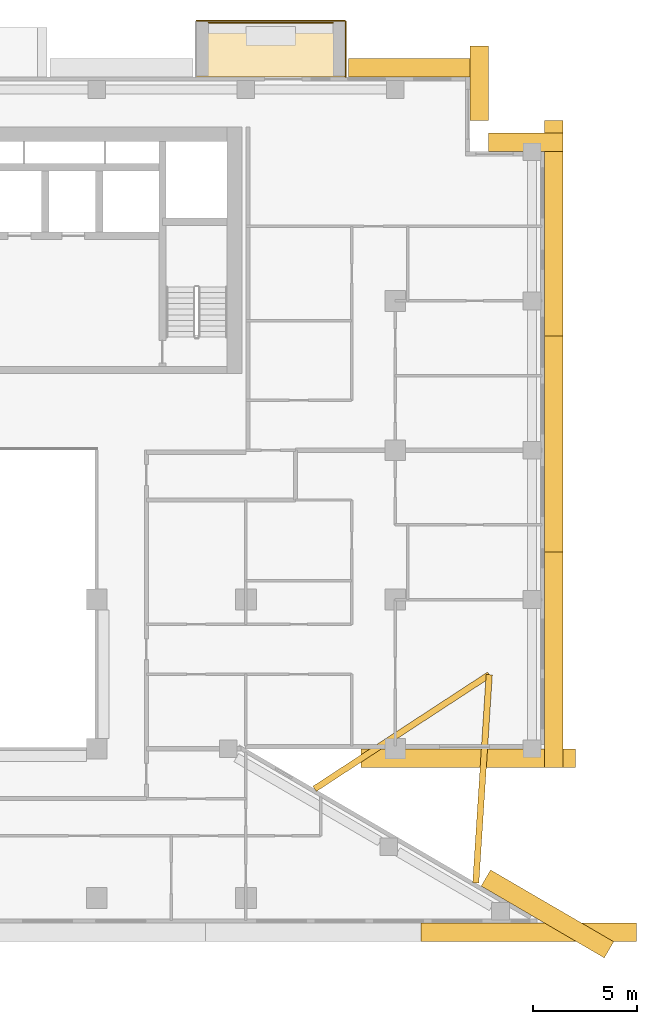
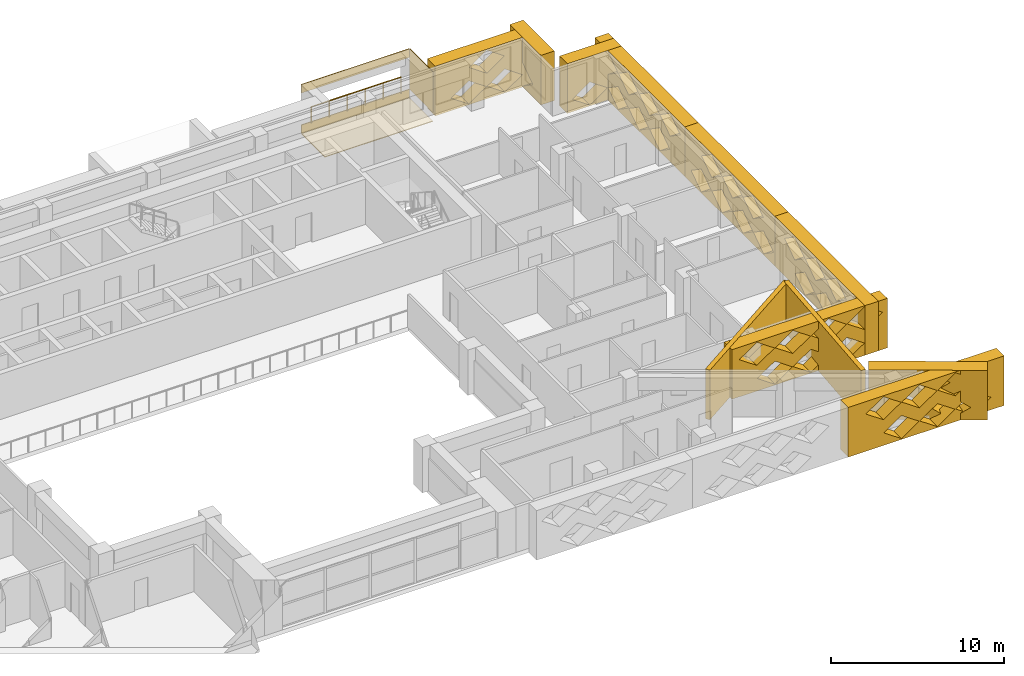
# One storey, part 20 of 20: 15 coverings, 1 railing.
"""IFC4 building model written with IfcOpenShell, lengths in metres."""

from ifc_helpers import new_model, si_unit, direction, frame, origin, origin_2d, place, context, subcontext, project, spatial, polyline, circle, outline, extrude, material, layer, layer_set, type_object, element, save


model = new_model("IFC4")

# Units and contexts
model_context = context("Model", 3, precision=1e-05, world=origin(), true_north=direction((0.0, 1.0)))
body_context = subcontext(model_context, "Body", "Model", "MODEL_VIEW")
ifc_project = project(units=[si_unit("LENGTHUNIT", "METRE"), si_unit("AREAUNIT", "SQUARE_METRE"), si_unit("VOLUMEUNIT", "CUBIC_METRE"), si_unit("PLANEANGLEUNIT", "RADIAN"), si_unit("MASSUNIT", "GRAM", prefix="KILO")], contexts=[model_context])

# Site, building, storey
site_placement = place(None, origin())
site = spatial("IfcSite", under=ifc_project, at=site_placement, CompositionType="ELEMENT")
building_placement = place(site_placement, origin())
building = spatial("IfcBuilding", under=site, at=building_placement, Name="Saffron Iwan Residences", CompositionType="ELEMENT")
storey_placement = place(building_placement, frame((0.0, 0.0, 164.0)))
storey = spatial("IfcBuildingStorey", under=building, at=storey_placement, Name="L43", CompositionType="ELEMENT", Elevation=164.0)

# Railing
ifc_material_1 = material(Name="Stainless steel 316", Category="steel")
railing_type = type_object("IfcRailingType", Name="BALCONY GUARD 1150", PredefinedType="GUARDRAIL", material=ifc_material_1)
railing_placement = place(storey_placement, frame((76.199951171875, 83.02490234375, 0.0)))
element("IfcRailing", 1, at=railing_placement, inside=storey, type_object=railing_type, Name="Balcony guard L43 F5-0", PredefinedType="GUARDRAIL", context=body_context, shape_type="SweptSolid", body=[
    extrude(circle(Radius=0.02392578125, at=origin_2d()), frame((0.0, 0.0, 1.1259765625), z_axis=(-1.0, 0.0, 0.0), x_axis=(0.0, -1.0, 0.0)), (0.0, 0.0, 1.0), 6.0),
    extrude(circle(Radius=0.02099609375, at=origin_2d()), origin(), (0.0, 0.0, 1.0), 1.101806640625),
    extrude(circle(Radius=0.02099609375, at=origin_2d()), frame((-1.199951171875, 0.0, 0.0)), (0.0, 0.0, 1.0), 1.101806640625),
    extrude(circle(Radius=0.02099609375, at=origin_2d()), frame((-2.39990234375, 0.0, 0.0)), (0.0, 0.0, 1.0), 1.101806640625),
    extrude(circle(Radius=0.02099609375, at=origin_2d()), frame((-3.60009765625, 0.0, 0.0)), (0.0, 0.0, 1.0), 1.101806640625),
    extrude(circle(Radius=0.02099609375, at=origin_2d()), frame((-4.800048828125, 0.0, 0.0)), (0.0, 0.0, 1.0), 1.101806640625),
    extrude(circle(Radius=0.02099609375, at=origin_2d()), frame((-6.0, 0.0, 0.0)), (0.0, 0.0, 1.0), 1.101806640625),
])

# Coverings
ifc_material_2 = material(Name="Precast concrete C40/50 white painted", Category="concrete")
ifc_layer_1 = layer(ifc_material_2, 0.050048828125)
ifc_layer_set_1 = layer_set([ifc_layer_1], Name="Precast concrete C40/50 white painted")
covering_type_1 = type_object("IfcCoveringType", Name="FRAME SKIN PRECAST WHITE 50", PredefinedType="CLADDING", material=ifc_layer_set_1)
for number, where, name in (
    (2, (0.0, 0.0, -0.60009765625), "Frame skin slab edge L43 F5-0"),
    (3, (0.0, 0.0, 2.25), "Frame skin fascia L43 F5-0"),
):
    element("IfcCovering", number, at=place(storey_placement, frame(where)), inside=storey, type_object=covering_type_1, Name=name, PredefinedType="CLADDING", context=body_context, shape_type="SweptSolid", body=[
        extrude(outline(polyline([(76.800048828125, 83.14990234375), (69.60009765625, 83.14990234375), (69.60009765625, 83.10009765625), (76.800048828125, 83.10009765625), (76.800048828125, 83.14990234375)])), origin(), (0.0, 0.0, 1.0), 0.60009765625),
    ])
covering_1_placement = place(storey_placement, frame((0.0, 0.0, -0.64990234375)))
element("IfcCovering", 4, at=covering_1_placement, inside=storey, type_object=covering_type_1, Name="Frame skin soffit L43 F5-0", PredefinedType="CLADDING", context=body_context, shape_type="SweptSolid", body=[
    extrude(outline(polyline([(76.800048828125, 83.10009765625), (69.60009765625, 83.10009765625), (69.60009765625, 80.39990234375), (76.800048828125, 80.39990234375), (76.800048828125, 83.10009765625)])), origin(), (0.0, 0.0, 1.0), 0.0498046875),
])
covering_2_placement = place(storey_placement, origin())
element("IfcCovering", 5, at=covering_2_placement, inside=storey, type_object=covering_type_1, Name="Frame skin fin L43 F5-0a", PredefinedType="CLADDING", context=body_context, shape_type="SweptSolid", body=[
    extrude(outline(polyline([(76.85009765625, 83.10009765625), (76.800048828125, 83.10009765625), (76.800048828125, 80.39990234375), (76.85009765625, 80.39990234375), (76.85009765625, 83.10009765625)])), origin(), (0.0, 0.0, 1.0), 2.85009765625),
])
ifc_material_3 = material(Name="Precast concrete C40/50", Category="concrete")
covering_type_2 = type_object("IfcCoveringType", Name="OUTER SKIN LATTICE SCREEN", PredefinedType="CLADDING", material=ifc_material_3)
covering_3_placement = place(storey_placement, frame((89.283935546875, 37.917724609375, -0.300048828125), z_axis=(0.503803550485, 0.863818257806, 0.0), x_axis=(-0.863818257806, 0.503803550485, 0.0)))
element("IfcCovering", 6, at=covering_3_placement, inside=storey, type_object=covering_type_2, Name="OUTER SKIN lattice screen L43 F0.0", PredefinedType="CLADDING", context=body_context, shape_type="SweptSolid", body=[
    extrude(outline(polyline([(0.0, 0.0), (6.874267578125, 0.0), (6.874267578125, 3.5), (0.0, 3.5), (0.0, 0.0)]), holes=[polyline([(0.958740234375, 0.875), (2.138671875, 0.06005859375), (3.318603515625, 0.875), (2.138671875, 1.68994140625), (0.958740234375, 0.875)]), polyline([(3.358642578125, 0.875), (4.538818359375, 0.06005859375), (5.71875, 0.875), (4.538818359375, 1.68994140625), (3.358642578125, 0.875)]), polyline([(2.15869140625, 2.625), (3.338623046875, 1.81005859375), (4.518798828125, 2.625), (3.338623046875, 3.43994140625), (2.15869140625, 2.625)])]), origin(), (0.0, 0.0, 1.0), 0.89990234375),
])
covering_4_placement = place(storey_placement, frame((77.538818359375, 48.0, -0.300048828125), z_axis=(0.0, -1.0, 0.0), x_axis=(1.0, 0.0, 0.0)))
element("IfcCovering", 7, at=covering_4_placement, inside=storey, type_object=covering_type_2, Name="OUTER SKIN lattice screen L43 F1.0", PredefinedType="CLADDING", context=body_context, shape_type="SweptSolid", body=[
    extrude(outline(polyline([(0.0, 0.0), (10.361328125, 0.0), (10.361328125, 3.5), (0.0, 3.5), (0.0, 0.0)]), holes=[polyline([(1.681396484375, 0.875), (2.861328125, 0.06005859375), (4.041259765625, 0.875), (2.861328125, 1.68994140625), (1.681396484375, 0.875)]), polyline([(4.081298828125, 0.875), (5.26123046875, 0.06005859375), (6.44140625, 0.875), (5.26123046875, 1.68994140625), (4.081298828125, 0.875)]), polyline([(6.481201171875, 0.875), (7.661376953125, 0.06005859375), (8.84130859375, 0.875), (7.661376953125, 1.68994140625), (6.481201171875, 0.875)]), polyline([(0.481201171875, 2.625), (1.661376953125, 1.81005859375), (2.84130859375, 2.625), (1.661376953125, 3.43994140625), (0.481201171875, 2.625)]), polyline([(2.88134765625, 2.625), (4.061279296875, 1.81005859375), (5.2412109375, 2.625), (4.061279296875, 3.43994140625), (2.88134765625, 2.625)]), polyline([(5.28125, 2.625), (6.461181640625, 1.81005859375), (7.641357421875, 2.625), (6.461181640625, 3.43994140625), (5.28125, 2.625)]), polyline([(7.681396484375, 2.625), (8.861328125, 1.81005859375), (10.041259765625, 2.625), (8.861328125, 3.43994140625), (7.681396484375, 2.625)])]), origin(), (0.0, 0.0, 1.0), 0.89990234375),
])
covering_5_placement = place(storey_placement, frame((86.39990234375, 47.10009765625, -0.300048828125), z_axis=(1.0, 0.0, 0.0), x_axis=(0.0, 1.0, 0.0)))
element("IfcCovering", 8, at=covering_5_placement, inside=storey, type_object=covering_type_2, Name="OUTER SKIN lattice screen L43 F2.0", PredefinedType="CLADDING", context=body_context, shape_type="SweptSolid", body=[
    extrude(outline(polyline([(0.0, 0.0), (10.39990234375, 0.0), (10.39990234375, 3.5), (0.0, 3.5), (0.0, 0.0)]), holes=[polyline([(0.919921875, 0.875), (2.10009765625, 0.06005859375), (3.280029296875, 0.875), (2.10009765625, 1.68994140625), (0.919921875, 0.875)]), polyline([(3.320068359375, 0.875), (4.5, 0.06005859375), (5.679931640625, 0.875), (4.5, 1.68994140625), (3.320068359375, 0.875)]), polyline([(5.719970703125, 0.875), (6.89990234375, 0.06005859375), (8.080078125, 0.875), (6.89990234375, 1.68994140625), (5.719970703125, 0.875)]), polyline([(2.1201171875, 2.625), (3.300048828125, 1.81005859375), (4.47998046875, 2.625), (3.300048828125, 3.43994140625), (2.1201171875, 2.625)]), polyline([(4.52001953125, 2.625), (5.699951171875, 1.81005859375), (6.8798828125, 2.625), (5.699951171875, 3.43994140625), (4.52001953125, 2.625)]), polyline([(6.919921875, 2.625), (8.10009765625, 1.81005859375), (9.280029296875, 2.625), (8.10009765625, 3.43994140625), (6.919921875, 2.625)])]), origin(), (0.0, 0.0, 1.0), 0.900146484375),
])
covering_6_placement = place(storey_placement, frame((86.39990234375, 57.5, -0.300048828125), z_axis=(1.0, 0.0, 0.0), x_axis=(0.0, 1.0, 0.0)))
element("IfcCovering", 9, at=covering_6_placement, inside=storey, type_object=covering_type_2, Name="OUTER SKIN lattice screen L43 F2.1", PredefinedType="CLADDING", context=body_context, shape_type="SweptSolid", body=[
    extrude(outline(polyline([(0.0, 0.0), (10.39990234375, 0.0), (10.39990234375, 3.5), (0.0, 3.5), (0.0, 0.0)]), holes=[polyline([(0.1201171875, 0.875), (1.300048828125, 0.06005859375), (2.47998046875, 0.875), (1.300048828125, 1.68994140625), (0.1201171875, 0.875)]), polyline([(2.52001953125, 0.875), (3.699951171875, 0.06005859375), (4.8798828125, 0.875), (3.699951171875, 1.68994140625), (2.52001953125, 0.875)]), polyline([(4.919921875, 0.875), (6.10009765625, 0.06005859375), (7.280029296875, 0.875), (6.10009765625, 1.68994140625), (4.919921875, 0.875)]), polyline([(7.320068359375, 0.875), (8.5, 0.06005859375), (9.679931640625, 0.875), (8.5, 1.68994140625), (7.320068359375, 0.875)]), polyline([(1.320068359375, 2.625), (2.5, 1.81005859375), (3.679931640625, 2.625), (2.5, 3.43994140625), (1.320068359375, 2.625)]), polyline([(3.719970703125, 2.625), (4.89990234375, 1.81005859375), (6.080078125, 2.625), (4.89990234375, 3.43994140625), (3.719970703125, 2.625)]), polyline([(6.1201171875, 2.625), (7.300048828125, 1.81005859375), (8.47998046875, 2.625), (7.300048828125, 3.43994140625), (6.1201171875, 2.625)])]), origin(), (0.0, 0.0, 1.0), 0.900146484375),
])
covering_7_placement = place(storey_placement, frame((86.39990234375, 67.89990234375, -0.300048828125), z_axis=(1.0, 0.0, 0.0), x_axis=(0.0, 1.0, 0.0)))
element("IfcCovering", 10, at=covering_7_placement, inside=storey, type_object=covering_type_2, Name="OUTER SKIN lattice screen L43 F2.2", PredefinedType="CLADDING", context=body_context, shape_type="SweptSolid", body=[
    extrude(outline(polyline([(0.0, 0.0), (10.39990234375, 0.0), (10.39990234375, 3.5), (0.0, 3.5), (0.0, 0.0)]), holes=[polyline([(1.719970703125, 0.875), (2.89990234375, 0.06005859375), (4.080078125, 0.875), (2.89990234375, 1.68994140625), (1.719970703125, 0.875)]), polyline([(4.1201171875, 0.875), (5.300048828125, 0.06005859375), (6.47998046875, 0.875), (5.300048828125, 1.68994140625), (4.1201171875, 0.875)]), polyline([(6.52001953125, 0.875), (7.699951171875, 0.06005859375), (8.8798828125, 0.875), (7.699951171875, 1.68994140625), (6.52001953125, 0.875)]), polyline([(0.52001953125, 2.625), (1.699951171875, 1.81005859375), (2.8798828125, 2.625), (1.699951171875, 3.43994140625), (0.52001953125, 2.625)]), polyline([(2.919921875, 2.625), (4.10009765625, 1.81005859375), (5.280029296875, 2.625), (4.10009765625, 3.43994140625), (2.919921875, 2.625)]), polyline([(5.320068359375, 2.625), (6.5, 1.81005859375), (7.679931640625, 2.625), (6.5, 3.43994140625), (5.320068359375, 2.625)]), polyline([(7.719970703125, 2.625), (8.89990234375, 1.81005859375), (10.080078125, 2.625), (8.89990234375, 3.43994140625), (7.719970703125, 2.625)])]), origin(), (0.0, 0.0, 1.0), 0.900146484375),
])
for number, where, z_axis, x_axis, name in (
    (11, (87.300048828125, 76.800048828125, -0.300048828125), (0.0, 1.0, 0.0), (-1.0, 0.0, 0.0), "OUTER SKIN lattice screen L43 F3.0"),
    (12, (82.800048828125, 78.300048828125, -0.300048828125), (1.0, 0.0, 0.0), (0.0, 1.0, 0.0), "OUTER SKIN lattice screen L43 F4.0"),
):
    element("IfcCovering", number, at=place(storey_placement, frame(where, z_axis=z_axis, x_axis=x_axis)), inside=storey, type_object=covering_type_2, Name=name, PredefinedType="CLADDING", context=body_context, shape_type="SweptSolid", body=[
        extrude(outline(polyline([(0.0, 0.0), (3.60009765625, 0.0), (3.60009765625, 3.5), (0.0, 3.5), (0.0, 0.0)]), holes=[polyline([(0.919921875, 0.875), (2.10009765625, 0.06005859375), (3.280029296875, 0.875), (2.10009765625, 1.68994140625), (0.919921875, 0.875)])]), origin(), (0.0, 0.0, 1.0), 0.89990234375),
    ])
covering_8_placement = place(storey_placement, frame((83.699951171875, 80.39990234375, -0.300048828125), z_axis=(0.0, 1.0, 0.0), x_axis=(-1.0, 0.0, 0.0)))
element("IfcCovering", 13, at=covering_8_placement, inside=storey, type_object=covering_type_2, Name="OUTER SKIN lattice screen L43 F5.0", PredefinedType="CLADDING", context=body_context, shape_type="SweptSolid", body=[
    extrude(outline(polyline([(0.0, 0.0), (6.75, 0.0), (6.75, 3.5), (0.0, 3.5), (0.0, 0.0)]), holes=[polyline([(0.919921875, 0.875), (2.10009765625, 0.06005859375), (3.280029296875, 0.875), (2.10009765625, 1.68994140625), (0.919921875, 0.875)]), polyline([(3.320068359375, 0.875), (4.5, 0.06005859375), (5.679931640625, 0.875), (4.5, 1.68994140625), (3.320068359375, 0.875)]), polyline([(2.1201171875, 2.625), (3.300048828125, 1.81005859375), (4.47998046875, 2.625), (3.300048828125, 3.43994140625), (2.1201171875, 2.625)])]), origin(), (0.0, 0.0, 1.0), 0.900146484375),
])
covering_9_placement = place(storey_placement, frame((80.4423828125, 39.60009765625, -0.300048828125), z_axis=(0.0, -1.0, 0.0), x_axis=(1.0, 0.0, 0.0)))
element("IfcCovering", 14, at=covering_9_placement, inside=storey, type_object=covering_type_2, Name="OUTER SKIN lattice screen L43 F11.4", PredefinedType="CLADDING", context=body_context, shape_type="SweptSolid", body=[
    extrude(outline(polyline([(0.0, 0.0), (10.396240234375, 0.0), (10.396240234375, 3.5), (0.0, 3.5), (0.0, 0.0)]), holes=[polyline([(2.37744140625, 0.875), (3.5576171875, 0.06005859375), (4.737548828125, 0.875), (3.5576171875, 1.68994140625), (2.37744140625, 0.875)]), polyline([(4.777587890625, 0.875), (5.95751953125, 0.06005859375), (7.137451171875, 0.875), (5.95751953125, 1.68994140625), (4.777587890625, 0.875)]), polyline([(7.177490234375, 0.875), (8.357421875, 0.06005859375), (9.53759765625, 0.875), (8.357421875, 1.68994140625), (7.177490234375, 0.875)]), polyline([(1.177490234375, 2.625), (2.357421875, 1.81005859375), (3.53759765625, 2.625), (2.357421875, 3.43994140625), (1.177490234375, 2.625)]), polyline([(3.577392578125, 2.625), (4.757568359375, 1.81005859375), (5.9375, 2.625), (4.757568359375, 3.43994140625), (3.577392578125, 2.625)]), polyline([(5.9775390625, 2.625), (7.157470703125, 1.81005859375), (8.33740234375, 2.625), (7.157470703125, 3.43994140625), (5.9775390625, 2.625)])]), origin(), (0.0, 0.0, 1.0), 0.900146484375),
])
ifc_layer_2 = layer(ifc_material_2, 0.300048828125)
ifc_layer_set_2 = layer_set([ifc_layer_2], Name="Precast concrete C40/50 white painted")
covering_type_3 = type_object("IfcCoveringType", Name="PROW NOSE BLADE PRECAST WHITE", PredefinedType="CLADDING", material=ifc_layer_set_2)
covering_10_placement = place(storey_placement, frame((0.0, 0.0, -0.300048828125)))
element("IfcCovering", 15, at=covering_10_placement, inside=storey, type_object=covering_type_3, Name="Prow nose blade L43 a", PredefinedType="CLADDING", context=body_context, shape_type="SweptSolid", body=[
    extrude(outline(polyline([(83.23681640625, 41.52294921875), (83.884521484375, 51.564453125), (83.585205078125, 51.583740234375), (82.937255859375, 41.542236328125), (83.23681640625, 41.52294921875)])), origin(), (0.0, 0.0, 1.0), 3.5),
])
covering_11_placement = place(storey_placement, frame((0.0, 0.0, -0.300048828125)))
element("IfcCovering", 16, at=covering_11_placement, inside=storey, type_object=covering_type_3, Name="Prow nose blade L43 b", PredefinedType="CLADDING", context=body_context, shape_type="SweptSolid", body=[
    extrude(outline(polyline([(75.39501953125, 45.94189453125), (83.81689453125, 51.448486328125), (83.65283203125, 51.69970703125), (75.23095703125, 46.193115234375), (75.39501953125, 45.94189453125)])), origin(), (0.0, 0.0, 1.0), 3.5),
])

save(model, "model.ifc")
